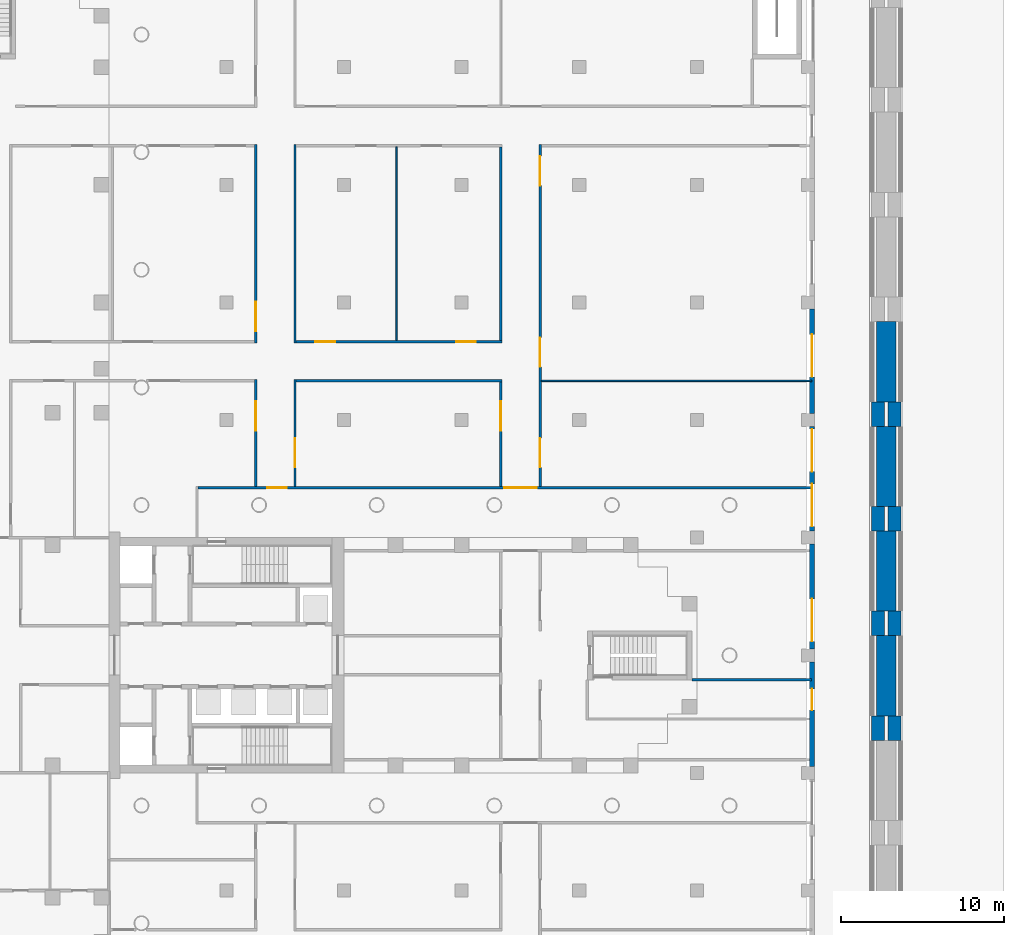
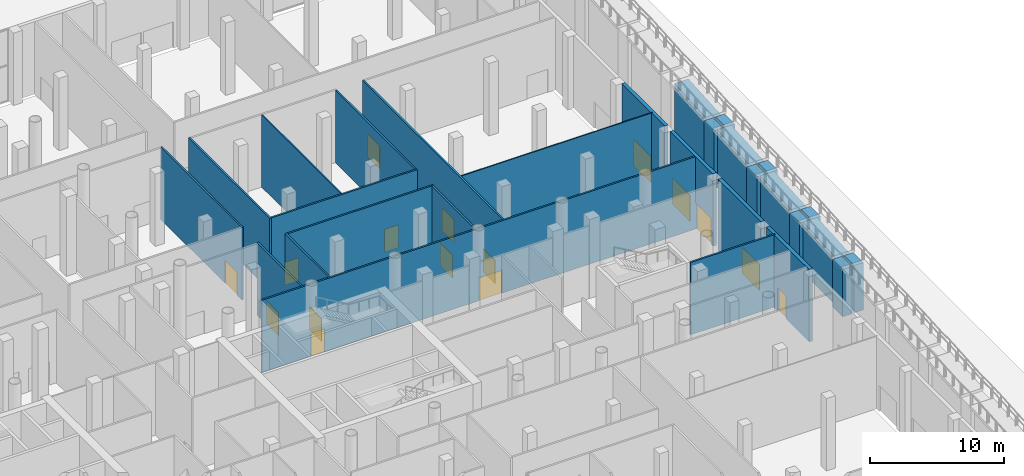
# One storey, part 28 of 44: 29 walls, 16 doors, 16 openings.
"""IFC4 building model written with IfcOpenShell, lengths in metres."""

from ifc_helpers import new_model, si_unit, direction, frame, frame_2d, origin, place, context, subcontext, project, spatial, polyline, rectangle, outline, extrude, material, layer, layer_set, type_object, element, fill, save


model = new_model("IFC4")

# Units and contexts
model_context = context("Model", 3, precision=1e-05, world=origin(), true_north=direction((0.0, 1.0)))
body_context = subcontext(model_context, "Body", "Model", "MODEL_VIEW")
ifc_project = project(units=[si_unit("LENGTHUNIT", "METRE"), si_unit("AREAUNIT", "SQUARE_METRE"), si_unit("VOLUMEUNIT", "CUBIC_METRE"), si_unit("PLANEANGLEUNIT", "RADIAN"), si_unit("MASSUNIT", "GRAM", prefix="KILO")], contexts=[model_context])

# Site, building, storey
site_placement = place(None, origin())
site = spatial("IfcSite", under=ifc_project, at=site_placement, CompositionType="ELEMENT")
building_placement = place(site_placement, origin())
building = spatial("IfcBuilding", under=site, at=building_placement, Name="Fustian Cross Tower", CompositionType="ELEMENT")
storey_placement = place(building_placement, origin())
storey = spatial("IfcBuildingStorey", under=building, at=storey_placement, Name="L00", CompositionType="ELEMENT", Elevation=0.0)

# Wall, openings, doors
ifc_material_1 = material(Name="Plasterboard on steel stud", Category="steel")
ifc_layer_1 = layer(ifc_material_1, 0.14990234375)
ifc_layer_set_1 = layer_set([ifc_layer_1], Name="Plasterboard on steel stud")
wall_type_1 = type_object("IfcWallType", Name="COMPARTMENT WALL 150 EI 60", PredefinedType="PARTITIONING", material=ifc_layer_set_1)
wall_1_placement = place(storey_placement, frame((12.675048828125, 10.25, 0.0), z_axis=(0.0, 0.0, 1.0), x_axis=(1.0, 0.0, 0.0)))
wall_1 = element("IfcWall", 1, at=wall_1_placement, inside=storey, type_object=wall_type_1, Name="Partition 108", PredefinedType="PARTITIONING", context=body_context, shape_type="SweptSolid", body=[
    extrude(rectangle(XDim=37.544921875, YDim=0.14990234375, at=frame_2d((18.7724609375, 0.0))), origin(), (0.0, 0.0, 1.0), 6.60009765625),
])
opening_1_placement = place(wall_1_placement, frame((4.22509765625, 0.0, 0.0)))
opening_1 = element("IfcOpeningElement", 2, at=opening_1_placement, cuts=wall_1, Name="Opening D02014", PredefinedType="OPENING", context=body_context, shape_type="SweptSolid", body=[
    extrude(rectangle(XDim=1.199951171875, YDim=2.10009765625, at=frame_2d((0.60009765625, 1.050048828125))), frame((0.0, 0.0849609375, 0.0), z_axis=(0.0, -1.0, 0.0), x_axis=(1.0, 0.0, 0.0)), (0.0, 0.0, 1.0), 0.169921875),
])
opening_2_placement = place(wall_1_placement, frame((18.72509765625, 0.0, 0.0)))
opening_2 = element("IfcOpeningElement", 3, at=opening_2_placement, cuts=wall_1, Name="Opening D02016", PredefinedType="OPENING", context=body_context, shape_type="SweptSolid", body=[
    extrude(rectangle(XDim=2.0, YDim=2.10009765625, at=frame_2d((1.0, 1.050048828125))), frame((0.0, 0.0849609375, 0.0), z_axis=(0.0, -1.0, 0.0), x_axis=(1.0, 0.0, 0.0)), (0.0, 0.0, 1.0), 0.169921875),
])
ifc_material_2 = material(Name="Timber fire door set", Category="wood")
door_type_1 = type_object("IfcDoorType", Name="FIRE DOUBLE DOOR 2000 FD30S", OperationType="DOUBLE_DOOR_DOUBLE_SWING", PredefinedType="DOOR", material=ifc_material_2)
door_1_placement = place(opening_2_placement, origin())
door_1 = element("IfcDoor", 4, at=door_1_placement, inside=storey, type_object=door_type_1, Name="Door D02016", OperationType="DOUBLE_DOOR_DOUBLE_SWING", OverallHeight=2.10009765625, OverallWidth=2.0, PredefinedType="DOOR", context=body_context, shape_type="SweptSolid", body=[
    extrude(rectangle(XDim=2.0, YDim=2.10009765625, at=frame_2d((1.0, 1.050048828125))), frame((0.0, 0.02490234375, 0.0), z_axis=(0.0, -1.0, 0.0), x_axis=(1.0, 0.0, 0.0)), (0.0, 0.0, 1.0), 0.050048828125),
])
fill(opening_2, door_1)
ifc_material_3 = material(Name="Timber fire door set", Category="wood")
door_type_2 = type_object("IfcDoorType", Name="FIRE SWING DOOR 1200 FD30S", OperationType="SINGLE_SWING_LEFT", PredefinedType="DOOR", material=ifc_material_3)
door_2_placement = place(opening_1_placement, origin())
door_2 = element("IfcDoor", 5, at=door_2_placement, inside=storey, type_object=door_type_2, Name="Door D02014", OperationType="SINGLE_SWING_RIGHT", OverallHeight=2.10009765625, OverallWidth=1.199951171875, PredefinedType="DOOR", context=body_context, shape_type="SweptSolid", body=[
    extrude(rectangle(XDim=1.199951171875, YDim=2.10009765625, at=frame_2d((0.60009765625, 1.050048828125))), frame((0.0, 0.02490234375, 0.0), z_axis=(0.0, -1.0, 0.0), x_axis=(1.0, 0.0, 0.0)), (0.0, 0.0, 1.0), 0.050048828125),
])
fill(opening_1, door_2)

# Wall, opening, door
wall_2_placement = place(storey_placement, frame((16.199951171875, 10.324951171875, 0.0), z_axis=(0.0, 0.0, 1.0), x_axis=(0.0, 1.0, 0.0)))
wall_2 = element("IfcWall", 6, at=wall_2_placement, inside=storey, type_object=wall_type_1, Name="Partition 111", PredefinedType="PARTITIONING", context=body_context, shape_type="SweptSolid", body=[
    extrude(rectangle(XDim=6.550048828125, YDim=0.14990234375, at=frame_2d((3.27490234375, 0.0))), origin(), (0.0, 0.0, 1.0), 6.60009765625),
])
opening_3_placement = place(wall_2_placement, frame((3.425048828125, 0.0, 0.0)))
opening_3 = element("IfcOpeningElement", 7, at=opening_3_placement, cuts=wall_2, Name="Opening D02038", PredefinedType="OPENING", context=body_context, shape_type="SweptSolid", body=[
    extrude(rectangle(XDim=1.800048828125, YDim=2.10009765625, at=frame_2d((0.89990234375, 1.050048828125))), frame((0.0, 0.0849609375, 0.0), z_axis=(0.0, -1.0, 0.0), x_axis=(1.0, 0.0, 0.0)), (0.0, 0.0, 1.0), 0.169921875),
])
ifc_material_4 = material(Name="Timber fire door set", Category="wood")
door_type_3 = type_object("IfcDoorType", Name="FIRE DOUBLE DOOR 1800 FD30S", OperationType="DOUBLE_DOOR_DOUBLE_SWING", PredefinedType="DOOR", material=ifc_material_4)
door_3_placement = place(opening_3_placement, frame((1.800048828125, 0.0, 0.0), z_axis=(0.0, 0.0, 1.0), x_axis=(-1.0, 0.0, 0.0)))
door_3 = element("IfcDoor", 8, at=door_3_placement, inside=storey, type_object=door_type_3, Name="Door D02038", OperationType="DOUBLE_DOOR_DOUBLE_SWING", OverallHeight=2.10009765625, OverallWidth=1.800048828125, PredefinedType="DOOR", context=body_context, shape_type="SweptSolid", body=[
    extrude(rectangle(XDim=1.800048828125, YDim=2.10009765625, at=frame_2d((0.89990234375, 1.050048828125))), frame((0.0, 0.02490234375, 0.0), z_axis=(0.0, -1.0, 0.0), x_axis=(1.0, 0.0, 0.0)), (0.0, 0.0, 1.0), 0.050048828125),
])
fill(opening_3, door_3)

wall_3_placement = place(storey_placement, frame((16.199951171875, 19.125, 0.0), z_axis=(0.0, 0.0, 1.0), x_axis=(0.0, 1.0, 0.0)))
wall_3 = element("IfcWall", 9, at=wall_3_placement, inside=storey, type_object=wall_type_1, Name="Partition 112", PredefinedType="PARTITIONING", context=body_context, shape_type="SweptSolid", body=[
    extrude(rectangle(XDim=12.14990234375, YDim=0.14990234375, at=frame_2d((6.074951171875, 0.0))), origin(), (0.0, 0.0, 1.0), 6.60009765625),
])
opening_4_placement = place(wall_3_placement, frame((0.72509765625, 0.0, 0.0)))
opening_4 = element("IfcOpeningElement", 10, at=opening_4_placement, cuts=wall_3, Name="Opening D02047", PredefinedType="OPENING", context=body_context, shape_type="SweptSolid", body=[
    extrude(rectangle(XDim=1.800048828125, YDim=2.10009765625, at=frame_2d((0.89990234375, 1.050048828125))), frame((0.0, 0.0849609375, 0.0), z_axis=(0.0, -1.0, 0.0), x_axis=(1.0, 0.0, 0.0)), (0.0, 0.0, 1.0), 0.169921875),
])
door_4_placement = place(opening_4_placement, frame((1.800048828125, 0.0, 0.0), z_axis=(0.0, 0.0, 1.0), x_axis=(-1.0, 0.0, 0.0)))
door_4 = element("IfcDoor", 11, at=door_4_placement, inside=storey, type_object=door_type_3, Name="Door D02047", OperationType="DOUBLE_DOOR_DOUBLE_SWING", OverallHeight=2.10009765625, OverallWidth=1.800048828125, PredefinedType="DOOR", context=body_context, shape_type="SweptSolid", body=[
    extrude(rectangle(XDim=1.800048828125, YDim=2.10009765625, at=frame_2d((0.89990234375, 1.050048828125))), frame((0.0, 0.02490234375, 0.0), z_axis=(0.0, -1.0, 0.0), x_axis=(1.0, 0.0, 0.0)), (0.0, 0.0, 1.0), 0.050048828125),
])
fill(opening_4, door_4)

wall_4_placement = place(storey_placement, frame((18.60009765625, 10.324951171875, 0.0), z_axis=(0.0, 0.0, 1.0), x_axis=(0.0, 1.0, 0.0)))
wall_4 = element("IfcWall", 12, at=wall_4_placement, inside=storey, type_object=wall_type_1, Name="Partition 120", PredefinedType="PARTITIONING", context=body_context, shape_type="SweptSolid", body=[
    extrude(rectangle(XDim=6.550048828125, YDim=0.14990234375, at=frame_2d((3.27490234375, 0.0))), origin(), (0.0, 0.0, 1.0), 6.60009765625),
])
opening_5_placement = place(wall_4_placement, frame((1.175048828125, 0.0, 0.0)))
opening_5 = element("IfcOpeningElement", 13, at=opening_5_placement, cuts=wall_4, Name="Opening D02040", PredefinedType="OPENING", context=body_context, shape_type="SweptSolid", body=[
    extrude(rectangle(XDim=1.800048828125, YDim=2.10009765625, at=frame_2d((0.89990234375, 1.050048828125))), frame((0.0, 0.0849609375, 0.0), z_axis=(0.0, -1.0, 0.0), x_axis=(1.0, 0.0, 0.0)), (0.0, 0.0, 1.0), 0.169921875),
])
door_5_placement = place(opening_5_placement, origin())
door_5 = element("IfcDoor", 14, at=door_5_placement, inside=storey, type_object=door_type_3, Name="Door D02040", OperationType="DOUBLE_DOOR_DOUBLE_SWING", OverallHeight=2.10009765625, OverallWidth=1.800048828125, PredefinedType="DOOR", context=body_context, shape_type="SweptSolid", body=[
    extrude(rectangle(XDim=1.800048828125, YDim=2.10009765625, at=frame_2d((0.89990234375, 1.050048828125))), frame((0.0, 0.02490234375, 0.0), z_axis=(0.0, -1.0, 0.0), x_axis=(1.0, 0.0, 0.0)), (0.0, 0.0, 1.0), 0.050048828125),
])
fill(opening_5, door_5)

# Walls
wall_5_placement = place(storey_placement, frame((18.675048828125, 16.800048828125, 0.0), z_axis=(0.0, 0.0, 1.0), x_axis=(1.0, 0.0, 0.0)))
element("IfcWall", 15, at=wall_5_placement, inside=storey, type_object=wall_type_1, Name="Partition 121", PredefinedType="PARTITIONING", context=body_context, shape_type="SweptSolid", body=[
    extrude(rectangle(XDim=12.599853515625, YDim=0.14990234375, at=frame_2d((6.2998046875, 0.0))), origin(), (0.0, 0.0, 1.0), 6.60009765625),
])
wall_6_placement = place(storey_placement, frame((18.60009765625, 19.125, 0.0), z_axis=(0.0, 0.0, 1.0), x_axis=(0.0, 1.0, 0.0)))
element("IfcWall", 16, at=wall_6_placement, inside=storey, type_object=wall_type_1, Name="Partition 122", PredefinedType="PARTITIONING", context=body_context, shape_type="SweptSolid", body=[
    extrude(rectangle(XDim=12.14990234375, YDim=0.14990234375, at=frame_2d((6.074951171875, 0.0))), origin(), (0.0, 0.0, 1.0), 6.60009765625),
])

# Wall, openings, doors
wall_7_placement = place(storey_placement, frame((18.675048828125, 19.199951171875, 0.0), z_axis=(0.0, 0.0, 1.0), x_axis=(1.0, 0.0, 0.0)))
wall_7 = element("IfcWall", 17, at=wall_7_placement, inside=storey, type_object=wall_type_1, Name="Partition 123", PredefinedType="PARTITIONING", context=body_context, shape_type="SweptSolid", body=[
    extrude(rectangle(XDim=12.599853515625, YDim=0.14990234375, at=frame_2d((6.2998046875, 0.0))), origin(), (0.0, 0.0, 1.0), 6.60009765625),
])
opening_6_placement = place(wall_7_placement, frame((1.175048828125, 0.0, 0.0)))
opening_6 = element("IfcOpeningElement", 18, at=opening_6_placement, cuts=wall_7, Name="Opening D02048", PredefinedType="OPENING", context=body_context, shape_type="SweptSolid", body=[
    extrude(rectangle(XDim=1.199951171875, YDim=2.10009765625, at=frame_2d((0.60009765625, 1.050048828125))), frame((0.0, 0.0849609375, 0.0), z_axis=(0.0, -1.0, 0.0), x_axis=(1.0, 0.0, 0.0)), (0.0, 0.0, 1.0), 0.169921875),
])
opening_7_placement = place(wall_7_placement, frame((9.780029296875, 0.0, 0.0)))
opening_7 = element("IfcOpeningElement", 19, at=opening_7_placement, cuts=wall_7, Name="Opening D02051", PredefinedType="OPENING", context=body_context, shape_type="SweptSolid", body=[
    extrude(rectangle(XDim=1.199951171875, YDim=2.10009765625, at=frame_2d((0.60009765625, 1.050048828125))), frame((0.0, 0.0849609375, 0.0), z_axis=(0.0, -1.0, 0.0), x_axis=(1.0, 0.0, 0.0)), (0.0, 0.0, 1.0), 0.169921875),
])
door_6_placement = place(opening_6_placement, origin())
door_6 = element("IfcDoor", 20, at=door_6_placement, inside=storey, type_object=door_type_2, Name="Door D02048", OperationType="SINGLE_SWING_LEFT", OverallHeight=2.10009765625, OverallWidth=1.199951171875, PredefinedType="DOOR", context=body_context, shape_type="SweptSolid", body=[
    extrude(rectangle(XDim=1.199951171875, YDim=2.10009765625, at=frame_2d((0.60009765625, 1.050048828125))), frame((0.0, 0.02490234375, 0.0), z_axis=(0.0, -1.0, 0.0), x_axis=(1.0, 0.0, 0.0)), (0.0, 0.0, 1.0), 0.050048828125),
])
fill(opening_6, door_6)
door_7_placement = place(opening_7_placement, origin())
door_7 = element("IfcDoor", 21, at=door_7_placement, inside=storey, type_object=door_type_2, Name="Door D02051", OperationType="SINGLE_SWING_RIGHT", OverallHeight=2.10009765625, OverallWidth=1.199951171875, PredefinedType="DOOR", context=body_context, shape_type="SweptSolid", body=[
    extrude(rectangle(XDim=1.199951171875, YDim=2.10009765625, at=frame_2d((0.60009765625, 1.050048828125))), frame((0.0, 0.02490234375, 0.0), z_axis=(0.0, -1.0, 0.0), x_axis=(1.0, 0.0, 0.0)), (0.0, 0.0, 1.0), 0.050048828125),
])
fill(opening_7, door_7)

# Wall, opening, door
wall_8_placement = place(storey_placement, frame((31.199951171875, 10.324951171875, 0.0), z_axis=(0.0, 0.0, 1.0), x_axis=(0.0, 1.0, 0.0)))
wall_8 = element("IfcWall", 22, at=wall_8_placement, inside=storey, type_object=wall_type_1, Name="Partition 137", PredefinedType="PARTITIONING", context=body_context, shape_type="SweptSolid", body=[
    extrude(rectangle(XDim=6.400146484375, YDim=0.14990234375, at=frame_2d((3.2001953125, 0.0))), origin(), (0.0, 0.0, 1.0), 6.60009765625),
])
opening_8_placement = place(wall_8_placement, frame((3.425048828125, 0.0, 0.0)))
opening_8 = element("IfcOpeningElement", 23, at=opening_8_placement, cuts=wall_8, Name="Opening D02041", PredefinedType="OPENING", context=body_context, shape_type="SweptSolid", body=[
    extrude(rectangle(XDim=1.800048828125, YDim=2.10009765625, at=frame_2d((0.89990234375, 1.050048828125))), frame((0.0, 0.0849609375, 0.0), z_axis=(0.0, -1.0, 0.0), x_axis=(1.0, 0.0, 0.0)), (0.0, 0.0, 1.0), 0.169921875),
])
door_8_placement = place(opening_8_placement, frame((1.800048828125, 0.0, 0.0), z_axis=(0.0, 0.0, 1.0), x_axis=(-1.0, 0.0, 0.0)))
door_8 = element("IfcDoor", 24, at=door_8_placement, inside=storey, type_object=door_type_3, Name="Door D02041", OperationType="DOUBLE_DOOR_DOUBLE_SWING", OverallHeight=2.10009765625, OverallWidth=1.800048828125, PredefinedType="DOOR", context=body_context, shape_type="SweptSolid", body=[
    extrude(rectangle(XDim=1.800048828125, YDim=2.10009765625, at=frame_2d((0.89990234375, 1.050048828125))), frame((0.0, 0.02490234375, 0.0), z_axis=(0.0, -1.0, 0.0), x_axis=(1.0, 0.0, 0.0)), (0.0, 0.0, 1.0), 0.050048828125),
])
fill(opening_8, door_8)

# Wall
wall_9_placement = place(storey_placement, frame((31.199951171875, 19.27490234375, 0.0), z_axis=(0.0, 0.0, 1.0), x_axis=(0.0, 1.0, 0.0)))
element("IfcWall", 25, at=wall_9_placement, inside=storey, type_object=wall_type_1, Name="Partition 138", PredefinedType="PARTITIONING", context=body_context, shape_type="SweptSolid", body=[
    extrude(rectangle(XDim=11.85009765625, YDim=0.14990234375, at=frame_2d((5.925048828125, 0.0))), origin(), (0.0, 0.0, 1.0), 6.60009765625),
])

# Wall, openings, doors
wall_10_placement = place(storey_placement, frame((33.60009765625, 10.324951171875, 0.0), z_axis=(0.0, 0.0, 1.0), x_axis=(0.0, 1.0, 0.0)))
wall_10 = element("IfcWall", 26, at=wall_10_placement, inside=storey, type_object=wall_type_1, Name="Partition 145", PredefinedType="PARTITIONING", context=body_context, shape_type="SweptSolid", body=[
    extrude(rectangle(XDim=20.949951171875, YDim=0.14990234375, at=frame_2d((10.47509765625, 0.0))), origin(), (0.0, 0.0, 1.0), 6.60009765625),
])
opening_9_placement = place(wall_10_placement, frame((1.175048828125, 0.0, 0.0)))
opening_9 = element("IfcOpeningElement", 27, at=opening_9_placement, cuts=wall_10, Name="Opening D02052", PredefinedType="OPENING", context=body_context, shape_type="SweptSolid", body=[
    extrude(rectangle(XDim=1.800048828125, YDim=2.10009765625, at=frame_2d((0.89990234375, 1.050048828125))), frame((0.0, 0.0849609375, 0.0), z_axis=(0.0, -1.0, 0.0), x_axis=(1.0, 0.0, 0.0)), (0.0, 0.0, 1.0), 0.169921875),
])
opening_10_placement = place(wall_10_placement, frame((7.324951171875, 0.0, 0.0)))
opening_10 = element("IfcOpeningElement", 28, at=opening_10_placement, cuts=wall_10, Name="Opening D02053", PredefinedType="OPENING", context=body_context, shape_type="SweptSolid", body=[
    extrude(rectangle(XDim=1.800048828125, YDim=2.10009765625, at=frame_2d((0.89990234375, 1.050048828125))), frame((0.0, 0.0849609375, 0.0), z_axis=(0.0, -1.0, 0.0), x_axis=(1.0, 0.0, 0.0)), (0.0, 0.0, 1.0), 0.169921875),
])
opening_11_placement = place(wall_10_placement, frame((18.425048828125, 0.0, 0.0)))
opening_11 = element("IfcOpeningElement", 29, at=opening_11_placement, cuts=wall_10, Name="Opening D02054", PredefinedType="OPENING", context=body_context, shape_type="SweptSolid", body=[
    extrude(rectangle(XDim=1.800048828125, YDim=2.10009765625, at=frame_2d((0.89990234375, 1.050048828125))), frame((0.0, 0.0849609375, 0.0), z_axis=(0.0, -1.0, 0.0), x_axis=(1.0, 0.0, 0.0)), (0.0, 0.0, 1.0), 0.169921875),
])
door_9_placement = place(opening_9_placement, origin())
door_9 = element("IfcDoor", 30, at=door_9_placement, inside=storey, type_object=door_type_3, Name="Door D02052", OperationType="DOUBLE_DOOR_DOUBLE_SWING", OverallHeight=2.10009765625, OverallWidth=1.800048828125, PredefinedType="DOOR", context=body_context, shape_type="SweptSolid", body=[
    extrude(rectangle(XDim=1.800048828125, YDim=2.10009765625, at=frame_2d((0.89990234375, 1.050048828125))), frame((0.0, 0.02490234375, 0.0), z_axis=(0.0, -1.0, 0.0), x_axis=(1.0, 0.0, 0.0)), (0.0, 0.0, 1.0), 0.050048828125),
])
fill(opening_9, door_9)
door_10_placement = place(opening_10_placement, origin())
door_10 = element("IfcDoor", 31, at=door_10_placement, inside=storey, type_object=door_type_3, Name="Door D02053", OperationType="DOUBLE_DOOR_DOUBLE_SWING", OverallHeight=2.10009765625, OverallWidth=1.800048828125, PredefinedType="DOOR", context=body_context, shape_type="SweptSolid", body=[
    extrude(rectangle(XDim=1.800048828125, YDim=2.10009765625, at=frame_2d((0.89990234375, 1.050048828125))), frame((0.0, 0.02490234375, 0.0), z_axis=(0.0, -1.0, 0.0), x_axis=(1.0, 0.0, 0.0)), (0.0, 0.0, 1.0), 0.050048828125),
])
fill(opening_10, door_10)
door_11_placement = place(opening_11_placement, origin())
door_11 = element("IfcDoor", 32, at=door_11_placement, inside=storey, type_object=door_type_3, Name="Door D02054", OperationType="DOUBLE_DOOR_DOUBLE_SWING", OverallHeight=2.10009765625, OverallWidth=1.800048828125, PredefinedType="DOOR", context=body_context, shape_type="SweptSolid", body=[
    extrude(rectangle(XDim=1.800048828125, YDim=2.10009765625, at=frame_2d((0.89990234375, 1.050048828125))), frame((0.0, 0.02490234375, 0.0), z_axis=(0.0, -1.0, 0.0), x_axis=(1.0, 0.0, 0.0)), (0.0, 0.0, 1.0), 0.050048828125),
])
fill(opening_11, door_11)

# Wall
wall_11_placement = place(storey_placement, frame((42.89990234375, -1.5, 0.0), z_axis=(0.0, 0.0, 1.0), x_axis=(1.0, 0.0, 0.0)))
element("IfcWall", 33, at=wall_11_placement, inside=storey, type_object=wall_type_1, Name="Partition 150", PredefinedType="PARTITIONING", context=body_context, shape_type="SweptSolid", body=[
    extrude(rectangle(XDim=7.320068359375, YDim=0.14990234375, at=frame_2d((3.66015625, 0.0))), origin(), (0.0, 0.0, 1.0), 6.60009765625),
])

# Wall, opening, door
ifc_material_5 = material(Name="Dark rainscreen cladding on blockwork", Category="masonry")
ifc_layer_2 = layer(ifc_material_5, 0.300048828125)
ifc_layer_set_2 = layer_set([ifc_layer_2], Name="Dark rainscreen cladding on blockwork")
wall_type_2 = type_object("IfcWallType", Name="EXTERNAL WALL 300 CLADDING", PredefinedType="SOLIDWALL", material=ifc_layer_set_2)
wall_12_placement = place(storey_placement, frame((50.25, -6.800048828125, 0.0), z_axis=(0.0, 0.0, 1.0), x_axis=(0.0, 1.0, 0.0)))
wall_12 = element("IfcWall", 34, at=wall_12_placement, inside=storey, type_object=wall_type_2, Name="External wall E7", PredefinedType="SOLIDWALL", context=body_context, shape_type="SweptSolid", body=[
    extrude(rectangle(XDim=6.400146484375, YDim=0.300048828125, at=frame_2d((3.2001953125, 0.0))), origin(), (0.0, 0.0, 1.0), 6.60009765625),
])
opening_12_placement = place(wall_12_placement, frame((3.449951171875, 0.0, 0.0)))
opening_12 = element("IfcOpeningElement", 35, at=opening_12_placement, cuts=wall_12, Name="Opening EDP22", PredefinedType="OPENING", context=body_context, shape_type="SweptSolid", body=[
    extrude(rectangle(XDim=1.300048828125, YDim=2.10009765625, at=frame_2d((0.64990234375, 1.050048828125))), frame((0.0, 0.159912109375, 0.0), z_axis=(0.0, -1.0, 0.0), x_axis=(1.0, 0.0, 0.0)), (0.0, 0.0, 1.0), 0.320068359375),
])
ifc_material_6 = material(Name="Aluminium and glass", Category="aluminium")
door_type_4 = type_object("IfcDoorType", Name="EXIT DOOR 1300", OperationType="SINGLE_SWING_LEFT", PredefinedType="DOOR", material=ifc_material_6)
door_12_placement = place(opening_12_placement, frame((1.300048828125, 0.0, 0.0), z_axis=(0.0, 0.0, 1.0), x_axis=(-1.0, 0.0, 0.0)))
door_12 = element("IfcDoor", 36, at=door_12_placement, inside=storey, type_object=door_type_4, Name="Exit door 22", OperationType="SINGLE_SWING_LEFT", OverallHeight=2.10009765625, OverallWidth=1.300048828125, PredefinedType="DOOR", context=body_context, shape_type="SweptSolid", body=[
    extrude(rectangle(XDim=1.300048828125, YDim=2.10009765625, at=frame_2d((0.64990234375, 1.050048828125))), frame((0.0, 0.02490234375, 0.0), z_axis=(0.0, -1.0, 0.0), x_axis=(1.0, 0.0, 0.0)), (0.0, 0.0, 1.0), 0.050048828125),
])
fill(opening_12, door_12)

wall_13_placement = place(storey_placement, frame((50.25, 0.39990234375, 0.0), z_axis=(0.0, 0.0, 1.0), x_axis=(0.0, 1.0, 0.0)))
wall_13 = element("IfcWall", 37, at=wall_13_placement, inside=storey, type_object=wall_type_2, Name="External wall E8", PredefinedType="SOLIDWALL", context=body_context, shape_type="SweptSolid", body=[
    extrude(rectangle(XDim=6.400146484375, YDim=0.300048828125, at=frame_2d((3.2001953125, 0.0))), origin(), (0.0, 0.0, 1.0), 6.60009765625),
])
opening_13_placement = place(wall_13_placement, frame((0.449951171875, 0.0, 0.0)))
opening_13 = element("IfcOpeningElement", 38, at=opening_13_placement, cuts=wall_13, Name="Opening EDP23", PredefinedType="OPENING", context=body_context, shape_type="SweptSolid", body=[
    extrude(rectangle(XDim=2.60009765625, YDim=2.39990234375, at=frame_2d((1.300048828125, 1.199951171875))), frame((0.0, 0.159912109375, 0.0), z_axis=(0.0, -1.0, 0.0), x_axis=(1.0, 0.0, 0.0)), (0.0, 0.0, 1.0), 0.320068359375),
])
ifc_material_7 = material(Name="Aluminium and glass", Category="aluminium")
door_type_5 = type_object("IfcDoorType", Name="ENTRANCE DOOR 2600", OperationType="DOUBLE_DOOR_SINGLE_SWING", PredefinedType="DOOR", material=ifc_material_7)
door_13_placement = place(opening_13_placement, frame((2.60009765625, 0.0, 0.0), z_axis=(0.0, 0.0, 1.0), x_axis=(-1.0, 0.0, 0.0)))
door_13 = element("IfcDoor", 39, at=door_13_placement, inside=storey, type_object=door_type_5, Name="Exit door 23", OperationType="DOUBLE_DOOR_DOUBLE_SWING", OverallHeight=2.39990234375, OverallWidth=2.60009765625, PredefinedType="DOOR", context=body_context, shape_type="SweptSolid", body=[
    extrude(rectangle(XDim=2.60009765625, YDim=2.39990234375, at=frame_2d((1.300048828125, 1.199951171875))), frame((0.0, 0.02490234375, 0.0), z_axis=(0.0, -1.0, 0.0), x_axis=(1.0, 0.0, 0.0)), (0.0, 0.0, 1.0), 0.050048828125),
])
fill(opening_13, door_13)

# Wall, openings, doors
wall_14_placement = place(storey_placement, frame((50.25, 7.60009765625, 0.0), z_axis=(0.0, 0.0, 1.0), x_axis=(0.0, 1.0, 0.0)))
wall_14 = element("IfcWall", 40, at=wall_14_placement, inside=storey, type_object=wall_type_2, Name="External wall E9", PredefinedType="SOLIDWALL", context=body_context, shape_type="SweptSolid", body=[
    extrude(rectangle(XDim=6.39990234375, YDim=0.300048828125, at=frame_2d((3.199951171875, 0.0))), origin(), (0.0, 0.0, 1.0), 6.60009765625),
])
opening_14_placement = place(wall_14_placement, frame((0.300048828125, 0.0, 0.0)))
opening_14 = element("IfcOpeningElement", 41, at=opening_14_placement, cuts=wall_14, Name="Opening EDP24", PredefinedType="OPENING", context=body_context, shape_type="SweptSolid", body=[
    extrude(rectangle(XDim=2.60009765625, YDim=2.39990234375, at=frame_2d((1.300048828125, 1.199951171875))), frame((0.0, 0.159912109375, 0.0), z_axis=(0.0, -1.0, 0.0), x_axis=(1.0, 0.0, 0.0)), (0.0, 0.0, 1.0), 0.320068359375),
])
opening_15_placement = place(wall_14_placement, frame((3.64990234375, 0.0, 0.0)))
opening_15 = element("IfcOpeningElement", 42, at=opening_15_placement, cuts=wall_14, Name="Opening EDP25", PredefinedType="OPENING", context=body_context, shape_type="SweptSolid", body=[
    extrude(rectangle(XDim=2.60009765625, YDim=2.39990234375, at=frame_2d((1.300048828125, 1.199951171875))), frame((0.0, 0.159912109375, 0.0), z_axis=(0.0, -1.0, 0.0), x_axis=(1.0, 0.0, 0.0)), (0.0, 0.0, 1.0), 0.320068359375),
])
door_14_placement = place(opening_14_placement, frame((2.60009765625, 0.0, 0.0), z_axis=(0.0, 0.0, 1.0), x_axis=(-1.0, 0.0, 0.0)))
door_14 = element("IfcDoor", 43, at=door_14_placement, inside=storey, type_object=door_type_5, Name="Exit door 24", OperationType="DOUBLE_DOOR_DOUBLE_SWING", OverallHeight=2.39990234375, OverallWidth=2.60009765625, PredefinedType="DOOR", context=body_context, shape_type="SweptSolid", body=[
    extrude(rectangle(XDim=2.60009765625, YDim=2.39990234375, at=frame_2d((1.300048828125, 1.199951171875))), frame((0.0, 0.02490234375, 0.0), z_axis=(0.0, -1.0, 0.0), x_axis=(1.0, 0.0, 0.0)), (0.0, 0.0, 1.0), 0.050048828125),
])
fill(opening_14, door_14)
door_15_placement = place(opening_15_placement, frame((2.60009765625, 0.0, 0.0), z_axis=(0.0, 0.0, 1.0), x_axis=(-1.0, 0.0, 0.0)))
door_15 = element("IfcDoor", 44, at=door_15_placement, inside=storey, type_object=door_type_5, Name="Exit door 25", OperationType="DOUBLE_DOOR_DOUBLE_SWING", OverallHeight=2.39990234375, OverallWidth=2.60009765625, PredefinedType="DOOR", context=body_context, shape_type="SweptSolid", body=[
    extrude(rectangle(XDim=2.60009765625, YDim=2.39990234375, at=frame_2d((1.300048828125, 1.199951171875))), frame((0.0, 0.02490234375, 0.0), z_axis=(0.0, -1.0, 0.0), x_axis=(1.0, 0.0, 0.0)), (0.0, 0.0, 1.0), 0.050048828125),
])
fill(opening_15, door_15)

# Wall, opening, door
wall_15_placement = place(storey_placement, frame((50.25, 14.800048828125, 0.0), z_axis=(0.0, 0.0, 1.0), x_axis=(0.0, 1.0, 0.0)))
wall_15 = element("IfcWall", 45, at=wall_15_placement, inside=storey, type_object=wall_type_2, Name="External wall E10", PredefinedType="SOLIDWALL", context=body_context, shape_type="SweptSolid", body=[
    extrude(rectangle(XDim=6.39990234375, YDim=0.300048828125, at=frame_2d((3.199951171875, 0.0))), origin(), (0.0, 0.0, 1.0), 6.60009765625),
])
opening_16_placement = place(wall_15_placement, frame((2.25, 0.0, 0.0)))
opening_16 = element("IfcOpeningElement", 46, at=opening_16_placement, cuts=wall_15, Name="Opening EDP26", PredefinedType="OPENING", context=body_context, shape_type="SweptSolid", body=[
    extrude(rectangle(XDim=2.60009765625, YDim=2.39990234375, at=frame_2d((1.300048828125, 1.199951171875))), frame((0.0, 0.159912109375, 0.0), z_axis=(0.0, -1.0, 0.0), x_axis=(1.0, 0.0, 0.0)), (0.0, 0.0, 1.0), 0.320068359375),
])
door_16_placement = place(opening_16_placement, frame((2.60009765625, 0.0, 0.0), z_axis=(0.0, 0.0, 1.0), x_axis=(-1.0, 0.0, 0.0)))
door_16 = element("IfcDoor", 47, at=door_16_placement, inside=storey, type_object=door_type_5, Name="Exit door 26", OperationType="DOUBLE_DOOR_DOUBLE_SWING", OverallHeight=2.39990234375, OverallWidth=2.60009765625, PredefinedType="DOOR", context=body_context, shape_type="SweptSolid", body=[
    extrude(rectangle(XDim=2.60009765625, YDim=2.39990234375, at=frame_2d((1.300048828125, 1.199951171875))), frame((0.0, 0.02490234375, 0.0), z_axis=(0.0, -1.0, 0.0), x_axis=(1.0, 0.0, 0.0)), (0.0, 0.0, 1.0), 0.050048828125),
])
fill(opening_16, door_16)

# Walls
ifc_material_8 = material(Name="Plasterboard on steel stud", Category="steel")
ifc_layer_3 = layer(ifc_material_8, 0.10009765625)
ifc_layer_set_3 = layer_set([ifc_layer_3], Name="Plasterboard on steel stud")
wall_type_3 = type_object("IfcWallType", Name="PARTITION 100 STUD", PredefinedType="PARTITIONING", material=ifc_layer_set_3)
wall_16_placement = place(storey_placement, frame((24.805419921875, 19.27490234375, 0.0), z_axis=(0.0, 0.0, 1.0), x_axis=(0.0, 1.0, 0.0)))
element("IfcWall", 48, at=wall_16_placement, inside=storey, type_object=wall_type_3, Name="Partition 132", PredefinedType="PARTITIONING", context=body_context, shape_type="SweptSolid", body=[
    extrude(rectangle(XDim=11.85009765625, YDim=0.10009765625, at=frame_2d((5.925048828125, 0.0))), origin(), (0.0, 0.0, 1.0), 6.60009765625),
])
wall_17_placement = place(storey_placement, frame((33.675048828125, 16.800048828125, 0.0), z_axis=(0.0, 0.0, 1.0), x_axis=(1.0, 0.0, 0.0)))
element("IfcWall", 49, at=wall_17_placement, inside=storey, type_object=wall_type_3, Name="Partition 146", PredefinedType="PARTITIONING", context=body_context, shape_type="SweptSolid", body=[
    extrude(rectangle(XDim=16.544921875, YDim=0.10009765625, at=frame_2d((8.2724609375, 0.0))), origin(), (0.0, 0.0, 1.0), 6.60009765625),
])
ifc_material_9 = material(Name="Concrete C40/50", Category="concrete")
ifc_layer_4 = layer(ifc_material_9, 1.199951171875)
ifc_layer_set_4 = layer_set([ifc_layer_4], Name="Concrete C40/50")
wall_type_4 = type_object("IfcWallType", Name="RAMP BANK WALL 1200", PredefinedType="SOLIDWALL", material=ifc_layer_set_4)
wall_18_placement = place(storey_placement, frame((54.800048828125, -3.708984375, 0.0), z_axis=(0.0, 0.0, 1.0), x_axis=(0.0, 1.0, 0.0)))
element("IfcWall", 50, at=wall_18_placement, inside=storey, type_object=wall_type_4, Name="Ramp bank wall 15", PredefinedType="SOLIDWALL", context=body_context, shape_type="SweptSolid", body=[
    extrude(outline(polyline([(0.0, 0.0), (4.908935546875, 0.0), (4.9091796875, 4.658447265625), (0.0, 4.331298828125), (0.0, 0.0)])), frame((0.0, 0.60009765625, 0.0), z_axis=(0.0, -1.0, 0.0), x_axis=(1.0, 0.0, 0.0)), (0.0, 0.0, 1.0), 1.199951171875),
])
wall_19_placement = place(storey_placement, frame((54.800048828125, 2.699951171875, 0.0), z_axis=(0.0, 0.0, 1.0), x_axis=(0.0, 1.0, 0.0)))
element("IfcWall", 51, at=wall_19_placement, inside=storey, type_object=wall_type_4, Name="Ramp bank wall 16", PredefinedType="SOLIDWALL", context=body_context, shape_type="SweptSolid", body=[
    extrude(outline(polyline([(0.0, 0.0), (4.9091796875, 0.0), (4.9091796875, 4.98583984375), (0.0, 4.658447265625), (0.0, 0.0)])), frame((0.0, 0.60009765625, 0.0), z_axis=(0.0, -1.0, 0.0), x_axis=(1.0, 0.0, 0.0)), (0.0, 0.0, 1.0), 1.199951171875),
])
wall_20_placement = place(storey_placement, frame((54.800048828125, 9.109130859375, 0.0), z_axis=(0.0, 0.0, 1.0), x_axis=(0.0, 1.0, 0.0)))
element("IfcWall", 52, at=wall_20_placement, inside=storey, type_object=wall_type_4, Name="Ramp bank wall 17", PredefinedType="SOLIDWALL", context=body_context, shape_type="SweptSolid", body=[
    extrude(outline(polyline([(0.0, 0.0), (4.908935546875, 0.0), (4.9091796875, 5.31298828125), (0.0, 4.98583984375), (0.0, 0.0)])), frame((0.0, 0.60009765625, 0.0), z_axis=(0.0, -1.0, 0.0), x_axis=(1.0, 0.0, 0.0)), (0.0, 0.0, 1.0), 1.199951171875),
])
wall_21_placement = place(storey_placement, frame((54.800048828125, 15.51806640625, 0.0), z_axis=(0.0, 0.0, 1.0), x_axis=(0.0, 1.0, 0.0)))
element("IfcWall", 53, at=wall_21_placement, inside=storey, type_object=wall_type_4, Name="Ramp bank wall 18", PredefinedType="SOLIDWALL", context=body_context, shape_type="SweptSolid", body=[
    extrude(outline(polyline([(0.0, 0.0), (4.9091796875, 0.0), (4.9091796875, 5.640380859375), (0.0, 5.31298828125), (0.0, 0.0)])), frame((0.0, 0.60009765625, 0.0), z_axis=(0.0, -1.0, 0.0), x_axis=(1.0, 0.0, 0.0)), (0.0, 0.0, 1.0), 1.199951171875),
])
ifc_material_10 = material(Name="Concrete C40/50", Category="concrete")
ifc_layer_5 = layer(ifc_material_10, 0.800048828125)
ifc_layer_set_5 = layer_set([ifc_layer_5], Name="Concrete C40/50")
wall_type_5 = type_object("IfcWallType", Name="RAMP LANDING PIER 800", PredefinedType="SOLIDWALL", material=ifc_layer_set_5)
for number, where, z_axis, x_axis, name in (
    (54, (54.300048828125, -5.208984375, 0.0), (0.0, 0.0, 1.0), (0.0, 1.0, 0.0), "Ramp landing pier 14W"),
    (55, (55.300048828125, -5.208984375, 0.0), (0.0, 0.0, 1.0), (0.0, 1.0, 0.0), "Ramp landing pier 14E"),
):
    element("IfcWall", number, at=place(storey_placement, frame(where, z_axis=z_axis, x_axis=x_axis)), inside=storey, type_object=wall_type_5, Name=name, PredefinedType="SOLIDWALL", context=body_context, shape_type="SweptSolid", body=[
        extrude(rectangle(XDim=1.5, YDim=0.800048828125, at=frame_2d((0.75, 0.0))), origin(), (0.0, 0.0, 1.0), 4.331787109375),
    ])
for number, where, z_axis, x_axis, name in (
    (56, (54.300048828125, 1.199951171875, 0.0), (0.0, 0.0, 1.0), (0.0, 1.0, 0.0), "Ramp landing pier 15W"),
    (57, (55.300048828125, 1.199951171875, 0.0), (0.0, 0.0, 1.0), (0.0, 1.0, 0.0), "Ramp landing pier 15E"),
):
    element("IfcWall", number, at=place(storey_placement, frame(where, z_axis=z_axis, x_axis=x_axis)), inside=storey, type_object=wall_type_5, Name=name, PredefinedType="SOLIDWALL", context=body_context, shape_type="SweptSolid", body=[
        extrude(rectangle(XDim=1.5, YDim=0.800048828125, at=frame_2d((0.75, 0.0))), origin(), (0.0, 0.0, 1.0), 4.6591796875),
    ])
for number, where, z_axis, x_axis, name in (
    (58, (54.300048828125, 7.609130859375, 0.0), (0.0, 0.0, 1.0), (0.0, 1.0, 0.0), "Ramp landing pier 16W"),
    (59, (55.300048828125, 7.609130859375, 0.0), (0.0, 0.0, 1.0), (0.0, 1.0, 0.0), "Ramp landing pier 16E"),
):
    element("IfcWall", number, at=place(storey_placement, frame(where, z_axis=z_axis, x_axis=x_axis)), inside=storey, type_object=wall_type_5, Name=name, PredefinedType="SOLIDWALL", context=body_context, shape_type="SweptSolid", body=[
        extrude(rectangle(XDim=1.5, YDim=0.800048828125, at=frame_2d((0.75, 0.0))), origin(), (0.0, 0.0, 1.0), 4.986328125),
    ])
for number, where, z_axis, x_axis, name in (
    (60, (54.300048828125, 14.01806640625, 0.0), (0.0, 0.0, 1.0), (0.0, 1.0, 0.0), "Ramp landing pier 17W"),
    (61, (55.300048828125, 14.01806640625, 0.0), (0.0, 0.0, 1.0), (0.0, 1.0, 0.0), "Ramp landing pier 17E"),
):
    element("IfcWall", number, at=place(storey_placement, frame(where, z_axis=z_axis, x_axis=x_axis)), inside=storey, type_object=wall_type_5, Name=name, PredefinedType="SOLIDWALL", context=body_context, shape_type="SweptSolid", body=[
        extrude(rectangle(XDim=1.5, YDim=0.800048828125, at=frame_2d((0.75, 0.0))), origin(), (0.0, 0.0, 1.0), 5.313720703125),
    ])

save(model, "model.ifc")
